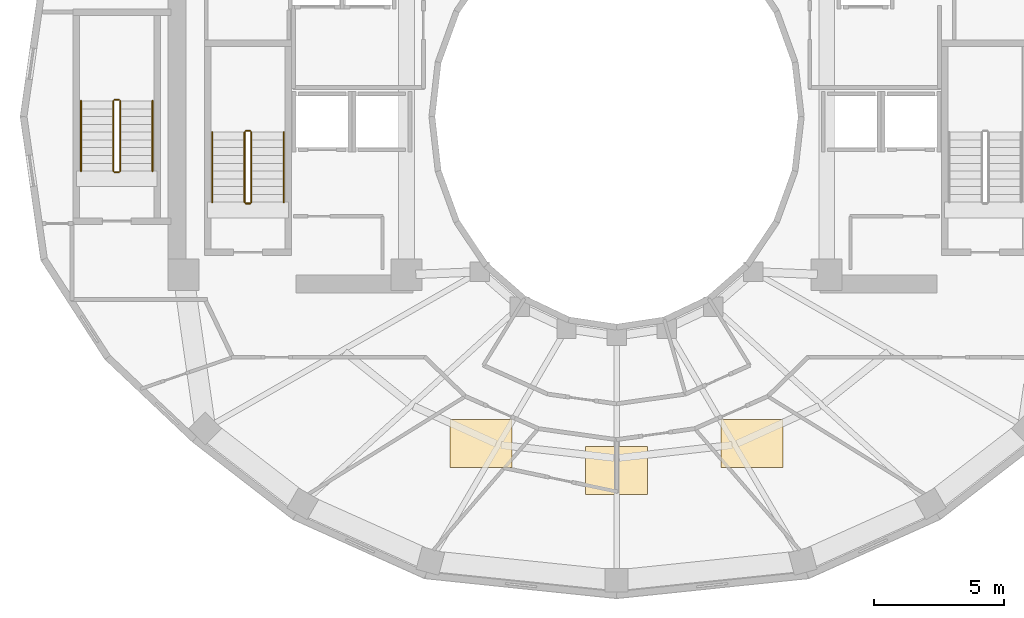
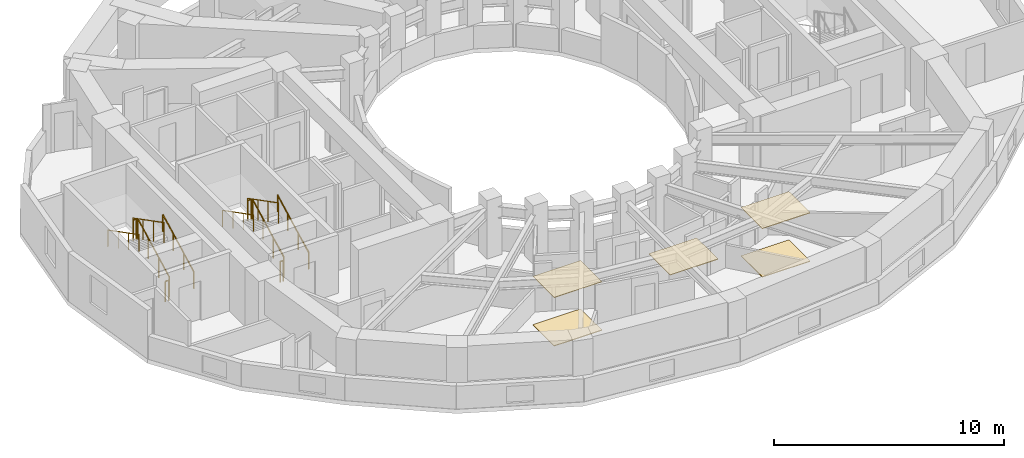
# One storey, part 8 of 9: 12 railings, 5 coverings.
"""IFC4 building model written with IfcOpenShell, lengths in metres."""

from ifc_helpers import new_model, si_unit, direction, frame, origin, origin_2d, place, context, subcontext, project, spatial, polyline, circle, outline, extrude, material, layer, layer_set, type_object, element, save


model = new_model("IFC4")

# Units and contexts
model_context = context("Model", 3, precision=1e-05, world=origin(), true_north=direction((0.0, 1.0)))
body_context = subcontext(model_context, "Body", "Model", "MODEL_VIEW")
ifc_project = project(units=[si_unit("LENGTHUNIT", "METRE"), si_unit("AREAUNIT", "SQUARE_METRE"), si_unit("VOLUMEUNIT", "CUBIC_METRE"), si_unit("PLANEANGLEUNIT", "RADIAN"), si_unit("MASSUNIT", "GRAM", prefix="KILO")], contexts=[model_context])

# Site, building, storey
site_placement = place(None, origin())
site = spatial("IfcSite", under=ifc_project, at=site_placement, CompositionType="ELEMENT")
building_placement = place(site_placement, origin())
building = spatial("IfcBuilding", under=site, at=building_placement, Name="Solvane Sanctuary Tower", CompositionType="ELEMENT")
storey_placement = place(building_placement, frame((0.0, 0.0, 140.5)))
storey = spatial("IfcBuildingStorey", under=building, at=storey_placement, Name="L42", CompositionType="ELEMENT", Elevation=140.5)

# Coverings
ifc_material_1 = material(Name="Acoustic Gypsum Partition Board")
ifc_layer_1 = layer(ifc_material_1, 0.02490234375, Name="Acoustic Gypsum Partition Board")
ifc_layer_set_1 = layer_set([ifc_layer_1], Name="Acoustic Gypsum Partition Board")
covering_type_1 = type_object("IfcCoveringType", Name="Covering CLG-ACOUST", PredefinedType="CEILING", material=ifc_layer_set_1)
covering_1_placement = place(storey_placement, frame((0.0, 0.0, 2.570068359375)))
element("IfcCovering", 1, at=covering_1_placement, inside=storey, type_object=covering_type_1, Name="L42 Unit Acoustic Ceiling Panel 5", PredefinedType="CEILING", context=body_context, shape_type="SweptSolid", body=[
    extrude(outline(polyline([(25.575927734375, 9.464111328125), (27.97607421875, 9.464111328125), (27.97607421875, 11.31396484375), (25.575927734375, 11.31396484375), (25.575927734375, 9.464111328125)])), origin(), (0.0, 0.0, 1.0), 0.030029296875),
])
covering_2_placement = place(storey_placement, frame((0.0, 0.0, 2.570068359375)))
element("IfcCovering", 2, at=covering_2_placement, inside=storey, type_object=covering_type_1, Name="L42 Unit Acoustic Ceiling Panel 6", PredefinedType="CEILING", context=body_context, shape_type="SweptSolid", body=[
    extrude(outline(polyline([(30.800048828125, 8.425048828125), (33.199951171875, 8.425048828125), (33.199951171875, 10.27490234375), (30.800048828125, 10.27490234375), (30.800048828125, 8.425048828125)])), origin(), (0.0, 0.0, 1.0), 0.030029296875),
])
covering_3_placement = place(storey_placement, frame((0.0, 0.0, 2.570068359375)))
element("IfcCovering", 3, at=covering_3_placement, inside=storey, type_object=covering_type_1, Name="L42 Unit Acoustic Ceiling Panel 7", PredefinedType="CEILING", context=body_context, shape_type="SweptSolid", body=[
    extrude(outline(polyline([(36.02392578125, 9.464111328125), (38.424072265625, 9.464111328125), (38.424072265625, 11.31396484375), (36.02392578125, 11.31396484375), (36.02392578125, 9.464111328125)])), origin(), (0.0, 0.0, 1.0), 0.030029296875),
])
ifc_material_2 = material(Name="Ceramic Tile Finish")
ifc_layer_2 = layer(ifc_material_2, 0.030029296875, Name="Ceramic Tile Finish")
ifc_layer_set_2 = layer_set([ifc_layer_2], Name="Ceramic Tile Finish")
covering_type_2 = type_object("IfcCoveringType", Name="Covering FLR-TERRAZZO", PredefinedType="FLOORING", material=ifc_layer_set_2)
covering_4_placement = place(storey_placement, origin())
element("IfcCovering", 4, at=covering_4_placement, inside=storey, type_object=covering_type_2, Name="L42 Unit Terrazzo Inlay 5", PredefinedType="FLOORING", context=body_context, shape_type="SweptSolid", body=[
    extrude(outline(polyline([(25.575927734375, 9.464111328125), (27.97607421875, 9.464111328125), (27.97607421875, 11.31396484375), (25.575927734375, 11.31396484375), (25.575927734375, 9.464111328125)])), origin(), (0.0, 0.0, 1.0), 0.034912109375),
])
covering_5_placement = place(storey_placement, origin())
element("IfcCovering", 5, at=covering_5_placement, inside=storey, type_object=covering_type_2, Name="L42 Unit Terrazzo Inlay 7", PredefinedType="FLOORING", context=body_context, shape_type="SweptSolid", body=[
    extrude(outline(polyline([(36.02392578125, 9.464111328125), (38.424072265625, 9.464111328125), (38.424072265625, 11.31396484375), (36.02392578125, 11.31396484375), (36.02392578125, 9.464111328125)])), origin(), (0.0, 0.0, 1.0), 0.034912109375),
])

# Railings
ifc_material_3 = material(Name="Architectural Stainless Steel 316", Category="steel")
railing_type_1 = type_object("IfcRailingType", Name="Railing GR-BALC-1150", PredefinedType="BALUSTRADE", material=ifc_material_3)
railing_1_placement = place(storey_placement, frame((17.919921875, 19.699951171875, 0.155029296875)))
element("IfcRailing", 6, at=railing_1_placement, inside=storey, type_object=railing_type_1, Name="L42 ST-1 stair guard 1", PredefinedType="BALUSTRADE", context=body_context, shape_type="SweptSolid", body=[
    extrude(circle(Radius=0.02392578125, at=origin_2d()), frame((0.0, 0.0, 1.076171875), z_axis=(0.0, 0.888419900624, 0.459031676658), x_axis=(-1.0, 0.0, 0.0)), (0.0, 0.0, 1.0), 3.0390625),
    extrude(circle(Radius=0.02099609375, at=origin_2d()), origin(), (0.0, 0.0, 1.0), 1.052001953125),
    extrude(circle(Radius=0.02099609375, at=origin_2d()), frame((0.0, 0.89990234375, 0.465087890625)), (0.0, 0.0, 1.0), 1.052001953125),
    extrude(circle(Radius=0.02099609375, at=origin_2d()), frame((0.0, 1.800048828125, 0.929931640625)), (0.0, 0.0, 1.0), 1.052001953125),
    extrude(circle(Radius=0.02099609375, at=origin_2d()), frame((0.0, 2.699951171875, 1.39501953125)), (0.0, 0.0, 1.0), 1.052001953125),
])
railing_2_placement = place(storey_placement, frame((17.8701171875, 22.449951171875, 1.550048828125)))
element("IfcRailing", 7, at=railing_2_placement, inside=storey, type_object=railing_type_1, Name="L42 ST-1 stair guard 2", PredefinedType="BALUSTRADE", context=body_context, shape_type="SweptSolid", body=[
    extrude(circle(Radius=0.02392578125, at=origin_2d()), frame((0.0, 0.0, 1.076171875), z_axis=(-1.0, 0.0, 0.0), x_axis=(0.0, -1.0, 0.0)), (0.0, 0.0, 1.0), 0.16015625),
    extrude(circle(Radius=0.02099609375, at=origin_2d()), origin(), (0.0, 0.0, 1.0), 1.052001953125),
    extrude(circle(Radius=0.02099609375, at=origin_2d()), frame((-0.16015625, 0.0, 0.0)), (0.0, 0.0, 1.0), 1.052001953125),
])
railing_3_placement = place(storey_placement, frame((17.659912109375, 22.39990234375, 1.705078125)))
element("IfcRailing", 8, at=railing_3_placement, inside=storey, type_object=railing_type_1, Name="L42 ST-1 stair guard 3", PredefinedType="BALUSTRADE", context=body_context, shape_type="SweptSolid", body=[
    extrude(circle(Radius=0.02392578125, at=origin_2d()), frame((0.0, 0.0, 1.076171875), z_axis=(0.0, -0.888419900624, 0.459031676658), x_axis=(1.0, 0.0, 0.0)), (0.0, 0.0, 1.0), 3.0390625),
    extrude(circle(Radius=0.02099609375, at=origin_2d()), origin(), (0.0, 0.0, 1.0), 1.052001953125),
    extrude(circle(Radius=0.02099609375, at=origin_2d()), frame((0.0, -0.89990234375, 0.465087890625)), (0.0, 0.0, 1.0), 1.052001953125),
    extrude(circle(Radius=0.02099609375, at=origin_2d()), frame((0.0, -1.800048828125, 0.929931640625)), (0.0, 0.0, 1.0), 1.052001953125),
    extrude(circle(Radius=0.02099609375, at=origin_2d()), frame((0.0, -2.699951171875, 1.39501953125)), (0.0, 0.0, 1.0), 1.052001953125),
])
railing_4_placement = place(storey_placement, frame((17.8701171875, 19.64990234375, 0.0)))
element("IfcRailing", 9, at=railing_4_placement, inside=storey, type_object=railing_type_1, Name="L42 ST-1 stair guard 4", PredefinedType="BALUSTRADE", context=body_context, shape_type="SweptSolid", body=[
    extrude(circle(Radius=0.02392578125, at=origin_2d()), frame((0.0, 0.0, 1.076171875), z_axis=(-1.0, 0.0, 0.0), x_axis=(0.0, -1.0, 0.0)), (0.0, 0.0, 1.0), 0.16015625),
    extrude(circle(Radius=0.02099609375, at=origin_2d()), origin(), (0.0, 0.0, 1.0), 1.052001953125),
    extrude(circle(Radius=0.02099609375, at=origin_2d()), frame((-0.16015625, 0.0, 0.0)), (0.0, 0.0, 1.0), 1.052001953125),
])
railing_5_placement = place(storey_placement, frame((12.860107421875, 20.89990234375, 0.155029296875)))
element("IfcRailing", 10, at=railing_5_placement, inside=storey, type_object=railing_type_1, Name="L42 ST-3 stair guard 1", PredefinedType="BALUSTRADE", context=body_context, shape_type="SweptSolid", body=[
    extrude(circle(Radius=0.02392578125, at=origin_2d()), frame((0.0, 0.0, 1.076171875), z_axis=(0.0, 0.888436826113, 0.458998917216), x_axis=(-1.0, 0.0, 0.0)), (0.0, 0.0, 1.0), 3.039306640625),
    extrude(circle(Radius=0.02099609375, at=origin_2d()), origin(), (0.0, 0.0, 1.0), 1.052001953125),
    extrude(circle(Radius=0.02099609375, at=origin_2d()), frame((0.0, 0.900146484375, 0.465087890625)), (0.0, 0.0, 1.0), 1.052001953125),
    extrude(circle(Radius=0.02099609375, at=origin_2d()), frame((0.0, 1.800048828125, 0.929931640625)), (0.0, 0.0, 1.0), 1.052001953125),
    extrude(circle(Radius=0.02099609375, at=origin_2d()), frame((0.0, 2.7001953125, 1.39501953125)), (0.0, 0.0, 1.0), 1.052001953125),
])
railing_6_placement = place(storey_placement, frame((12.81005859375, 23.64990234375, 1.550048828125)))
element("IfcRailing", 11, at=railing_6_placement, inside=storey, type_object=railing_type_1, Name="L42 ST-3 stair guard 2", PredefinedType="BALUSTRADE", context=body_context, shape_type="SweptSolid", body=[
    extrude(circle(Radius=0.02392578125, at=origin_2d()), frame((0.0, 0.0, 1.076171875), z_axis=(-1.0, 0.0, 0.0), x_axis=(0.0, -1.0, 0.0)), (0.0, 0.0, 1.0), 0.16015625),
    extrude(circle(Radius=0.02099609375, at=origin_2d()), origin(), (0.0, 0.0, 1.0), 1.052001953125),
    extrude(circle(Radius=0.02099609375, at=origin_2d()), frame((-0.16015625, 0.0, 0.0)), (0.0, 0.0, 1.0), 1.052001953125),
])
railing_7_placement = place(storey_placement, frame((12.60009765625, 23.60009765625, 1.705078125)))
element("IfcRailing", 12, at=railing_7_placement, inside=storey, type_object=railing_type_1, Name="L42 ST-3 stair guard 3", PredefinedType="BALUSTRADE", context=body_context, shape_type="SweptSolid", body=[
    extrude(circle(Radius=0.02392578125, at=origin_2d()), frame((0.0, 0.0, 1.076171875), z_axis=(0.0, -0.888436826113, 0.458998917216), x_axis=(1.0, 0.0, 0.0)), (0.0, 0.0, 1.0), 3.039306640625),
    extrude(circle(Radius=0.02099609375, at=origin_2d()), origin(), (0.0, 0.0, 1.0), 1.052001953125),
    extrude(circle(Radius=0.02099609375, at=origin_2d()), frame((0.0, -0.900146484375, 0.465087890625)), (0.0, 0.0, 1.0), 1.052001953125),
    extrude(circle(Radius=0.02099609375, at=origin_2d()), frame((0.0, -1.800048828125, 0.929931640625)), (0.0, 0.0, 1.0), 1.052001953125),
    extrude(circle(Radius=0.02099609375, at=origin_2d()), frame((0.0, -2.7001953125, 1.39501953125)), (0.0, 0.0, 1.0), 1.052001953125),
])
railing_8_placement = place(storey_placement, frame((12.81005859375, 20.85009765625, 0.0)))
element("IfcRailing", 13, at=railing_8_placement, inside=storey, type_object=railing_type_1, Name="L42 ST-3 stair guard 4", PredefinedType="BALUSTRADE", context=body_context, shape_type="SweptSolid", body=[
    extrude(circle(Radius=0.02392578125, at=origin_2d()), frame((0.0, 0.0, 1.076171875), z_axis=(-1.0, 0.0, 0.0), x_axis=(0.0, -1.0, 0.0)), (0.0, 0.0, 1.0), 0.16015625),
    extrude(circle(Radius=0.02099609375, at=origin_2d()), origin(), (0.0, 0.0, 1.0), 1.052001953125),
    extrude(circle(Radius=0.02099609375, at=origin_2d()), frame((-0.16015625, 0.0, 0.0)), (0.0, 0.0, 1.0), 1.052001953125),
])
railing_type_2 = type_object("IfcRailingType", Name="Railing HR-STAIR-920", PredefinedType="HANDRAIL", material=ifc_material_3)
railing_9_placement = place(storey_placement, frame((19.169921875, 19.699951171875, 0.155029296875)))
element("IfcRailing", 14, at=railing_9_placement, inside=storey, type_object=railing_type_2, Name="L42 ST-1 stair handrail 1", PredefinedType="HANDRAIL", context=body_context, shape_type="SweptSolid", body=[
    extrude(circle(Radius=0.02392578125, at=origin_2d()), frame((0.0, 0.0, 0.8759765625), z_axis=(0.0, 0.888419900624, 0.459031676658), x_axis=(-1.0, 0.0, 0.0)), (0.0, 0.0, 1.0), 3.0390625),
    extrude(circle(Radius=0.02099609375, at=origin_2d()), origin(), (0.0, 0.0, 1.0), 0.851806640625),
    extrude(circle(Radius=0.02099609375, at=origin_2d()), frame((0.0, 0.89990234375, 0.465087890625)), (0.0, 0.0, 1.0), 0.851806640625),
    extrude(circle(Radius=0.02099609375, at=origin_2d()), frame((0.0, 1.800048828125, 0.929931640625)), (0.0, 0.0, 1.0), 0.851806640625),
    extrude(circle(Radius=0.02099609375, at=origin_2d()), frame((0.0, 2.699951171875, 1.39501953125)), (0.0, 0.0, 1.0), 0.851806640625),
])
railing_10_placement = place(storey_placement, frame((16.409912109375, 22.39990234375, 1.705078125)))
element("IfcRailing", 15, at=railing_10_placement, inside=storey, type_object=railing_type_2, Name="L42 ST-1 stair handrail 2", PredefinedType="HANDRAIL", context=body_context, shape_type="SweptSolid", body=[
    extrude(circle(Radius=0.02392578125, at=origin_2d()), frame((0.0, 0.0, 0.8759765625), z_axis=(0.0, -0.888419900624, 0.459031676658), x_axis=(1.0, 0.0, 0.0)), (0.0, 0.0, 1.0), 3.0390625),
    extrude(circle(Radius=0.02099609375, at=origin_2d()), origin(), (0.0, 0.0, 1.0), 0.851806640625),
    extrude(circle(Radius=0.02099609375, at=origin_2d()), frame((0.0, -0.89990234375, 0.465087890625)), (0.0, 0.0, 1.0), 0.851806640625),
    extrude(circle(Radius=0.02099609375, at=origin_2d()), frame((0.0, -1.800048828125, 0.929931640625)), (0.0, 0.0, 1.0), 0.851806640625),
    extrude(circle(Radius=0.02099609375, at=origin_2d()), frame((0.0, -2.699951171875, 1.39501953125)), (0.0, 0.0, 1.0), 0.851806640625),
])
railing_11_placement = place(storey_placement, frame((14.110107421875, 20.89990234375, 0.155029296875)))
element("IfcRailing", 16, at=railing_11_placement, inside=storey, type_object=railing_type_2, Name="L42 ST-3 stair handrail 1", PredefinedType="HANDRAIL", context=body_context, shape_type="SweptSolid", body=[
    extrude(circle(Radius=0.02392578125, at=origin_2d()), frame((0.0, 0.0, 0.8759765625), z_axis=(0.0, 0.888436826113, 0.458998917216), x_axis=(-1.0, 0.0, 0.0)), (0.0, 0.0, 1.0), 3.039306640625),
    extrude(circle(Radius=0.02099609375, at=origin_2d()), origin(), (0.0, 0.0, 1.0), 0.851806640625),
    extrude(circle(Radius=0.02099609375, at=origin_2d()), frame((0.0, 0.900146484375, 0.465087890625)), (0.0, 0.0, 1.0), 0.851806640625),
    extrude(circle(Radius=0.02099609375, at=origin_2d()), frame((0.0, 1.800048828125, 0.929931640625)), (0.0, 0.0, 1.0), 0.851806640625),
    extrude(circle(Radius=0.02099609375, at=origin_2d()), frame((0.0, 2.7001953125, 1.39501953125)), (0.0, 0.0, 1.0), 0.851806640625),
])
railing_12_placement = place(storey_placement, frame((11.35009765625, 23.60009765625, 1.705078125)))
element("IfcRailing", 17, at=railing_12_placement, inside=storey, type_object=railing_type_2, Name="L42 ST-3 stair handrail 2", PredefinedType="HANDRAIL", context=body_context, shape_type="SweptSolid", body=[
    extrude(circle(Radius=0.02392578125, at=origin_2d()), frame((0.0, 0.0, 0.8759765625), z_axis=(0.0, -0.888436826113, 0.458998917216), x_axis=(1.0, 0.0, 0.0)), (0.0, 0.0, 1.0), 3.039306640625),
    extrude(circle(Radius=0.02099609375, at=origin_2d()), origin(), (0.0, 0.0, 1.0), 0.851806640625),
    extrude(circle(Radius=0.02099609375, at=origin_2d()), frame((0.0, -0.900146484375, 0.465087890625)), (0.0, 0.0, 1.0), 0.851806640625),
    extrude(circle(Radius=0.02099609375, at=origin_2d()), frame((0.0, -1.800048828125, 0.929931640625)), (0.0, 0.0, 1.0), 0.851806640625),
    extrude(circle(Radius=0.02099609375, at=origin_2d()), frame((0.0, -2.7001953125, 1.39501953125)), (0.0, 0.0, 1.0), 0.851806640625),
])

save(model, "model.ifc")
